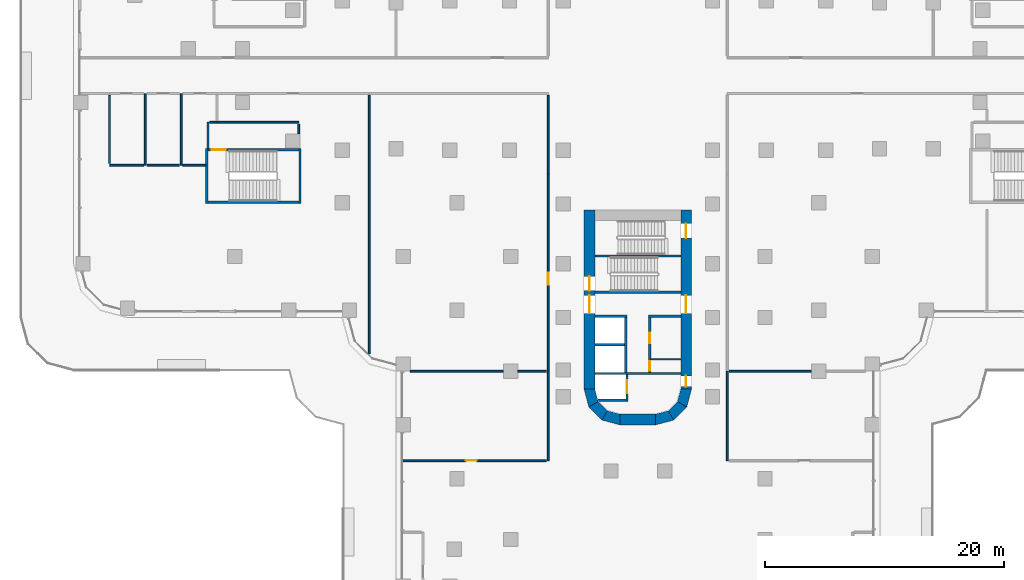
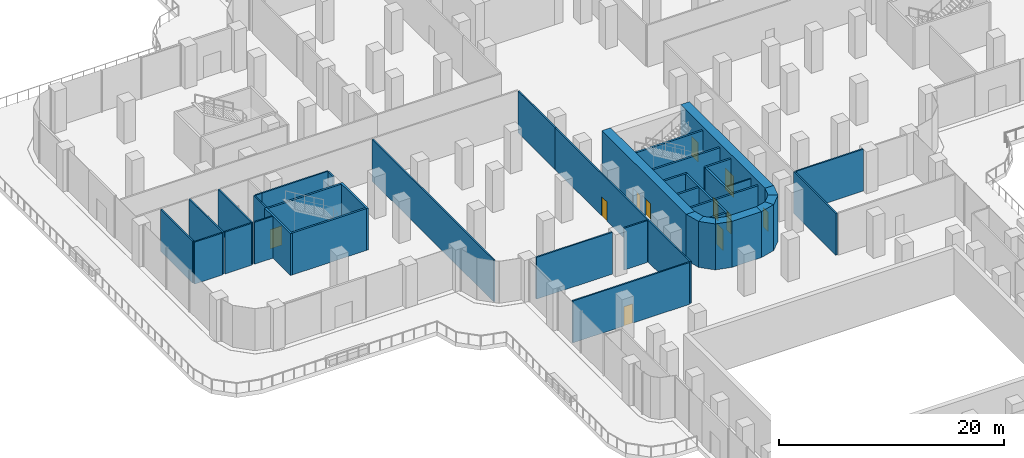
# One storey, part 18 of 29: 43 walls, 11 doors, 11 openings.
"""IFC4 building model written with IfcOpenShell, lengths in metres."""

from ifc_helpers import new_model, si_unit, direction, frame, frame_2d, origin, place, context, subcontext, project, spatial, polyline, rectangle, outline, extrude, material, layer, layer_set, type_object, element, fill, save


model = new_model("IFC4")

# Units and contexts
model_context = context("Model", 3, precision=1e-05, world=origin(), true_north=direction((0.0, 1.0)))
body_context = subcontext(model_context, "Body", "Model", "MODEL_VIEW")
ifc_project = project(units=[si_unit("LENGTHUNIT", "METRE"), si_unit("AREAUNIT", "SQUARE_METRE"), si_unit("VOLUMEUNIT", "CUBIC_METRE"), si_unit("PLANEANGLEUNIT", "RADIAN"), si_unit("MASSUNIT", "GRAM", prefix="KILO")], contexts=[model_context])

# Site, building, storey
site_placement = place(None, origin())
site = spatial("IfcSite", under=ifc_project, at=site_placement, CompositionType="ELEMENT")
building_placement = place(site_placement, origin())
building = spatial("IfcBuilding", under=site, at=building_placement, Name="Zarbagh Exchange Tower", CompositionType="ELEMENT")
storey_placement = place(building_placement, frame((0.0, 0.0, 12.0)))
storey = spatial("IfcBuildingStorey", under=building, at=storey_placement, Name="L02", CompositionType="ELEMENT", Elevation=12.0)

# Walls
ifc_material_1 = material(Name="Plasterboard partition")
ifc_layer_1 = layer(ifc_material_1, 0.14990234375)
ifc_layer_set_1 = layer_set([ifc_layer_1], Name="Board partition 150")
wall_type_1 = type_object("IfcWallType", Name="Board partition 150", PredefinedType="PARTITIONING", material=ifc_layer_set_1)
wall_1_placement = place(storey_placement, frame((-36.0, -6.10009765625, 0.0), z_axis=(0.0, 0.0, 1.0), x_axis=(0.0, 1.0, 0.0)))
element("IfcWall", 1, at=wall_1_placement, inside=storey, type_object=wall_type_1, Name="WL-L02-W006", PredefinedType="PARTITIONING", context=body_context, shape_type="SweptSolid", body=[
    extrude(rectangle(XDim=2.2001953125, YDim=0.14990234375, at=frame_2d((1.10009765625, 0.0))), origin(), (0.0, 0.0, 1.0), 4.550048828125),
])
wall_2_placement = place(storey_placement, frame((-35.85009765625, -3.89990234375, 0.0), z_axis=(0.0, 0.0, 1.0), x_axis=(1.0, 0.0, 0.0)))
element("IfcWall", 2, at=wall_2_placement, inside=storey, type_object=wall_type_1, Name="WL-L02-W007", PredefinedType="PARTITIONING", context=body_context, shape_type="SweptSolid", body=[
    extrude(rectangle(XDim=0.60009765625, YDim=0.14990234375, at=frame_2d((0.300048828125, 0.0))), origin(), (0.0, 0.0, 1.0), 4.550048828125),
])
wall_3_placement = place(storey_placement, frame((-35.25, -3.89990234375, 0.0), z_axis=(0.0, 0.0, 1.0), x_axis=(1.0, 0.0, 0.0)))
element("IfcWall", 3, at=wall_3_placement, inside=storey, type_object=wall_type_1, Name="WL-L02-W008", PredefinedType="PARTITIONING", context=body_context, shape_type="SweptSolid", body=[
    extrude(rectangle(XDim=6.85009765625, YDim=0.14990234375, at=frame_2d((3.425048828125, 0.0))), origin(), (0.0, 0.0, 1.0), 4.550048828125),
])
wall_4_placement = place(storey_placement, frame((-28.39990234375, -4.050048828125, 0.0), z_axis=(0.0, 0.0, 1.0), x_axis=(0.0, -1.0, 0.0)))
element("IfcWall", 4, at=wall_4_placement, inside=storey, type_object=wall_type_1, Name="WL-L02-W009", PredefinedType="PARTITIONING", context=body_context, shape_type="SweptSolid", body=[
    extrude(rectangle(XDim=0.824951171875, YDim=0.14990234375, at=frame_2d((0.41259765625, 0.0))), origin(), (0.0, 0.0, 1.0), 4.550048828125),
])
wall_5_placement = place(storey_placement, frame((-41.25, -1.5, 0.0), z_axis=(0.0, 0.0, 1.0), x_axis=(0.0, -1.0, 0.0)))
element("IfcWall", 5, at=wall_5_placement, inside=storey, type_object=wall_type_1, Name="WL-L02-W021", PredefinedType="PARTITIONING", context=body_context, shape_type="SweptSolid", body=[
    extrude(rectangle(XDim=6.0, YDim=0.14990234375, at=frame_2d((3.0, 0.0))), origin(), (0.0, 0.0, 1.0), 4.550048828125),
])
wall_6_placement = place(storey_placement, frame((-41.39990234375, -7.5, 0.0), z_axis=(0.0, 0.0, 1.0), x_axis=(-1.0, 0.0, 0.0)))
element("IfcWall", 6, at=wall_6_placement, inside=storey, type_object=wall_type_1, Name="WL-L02-W023", PredefinedType="PARTITIONING", context=body_context, shape_type="SweptSolid", body=[
    extrude(rectangle(XDim=2.85009765625, YDim=0.14990234375, at=frame_2d((1.425048828125, 0.0))), origin(), (0.0, 0.0, 1.0), 4.550048828125),
])
wall_7_placement = place(storey_placement, frame((-44.25, -7.35009765625, 0.0), z_axis=(0.0, 0.0, 1.0), x_axis=(0.0, 1.0, 0.0)))
element("IfcWall", 7, at=wall_7_placement, inside=storey, type_object=wall_type_1, Name="WL-L02-W024", PredefinedType="PARTITIONING", context=body_context, shape_type="SweptSolid", body=[
    extrude(rectangle(XDim=5.7001953125, YDim=0.14990234375, at=frame_2d((2.85009765625, 0.0))), origin(), (0.0, 0.0, 1.0), 4.550048828125),
])
wall_8_placement = place(storey_placement, frame((-38.25, -1.5, 0.0), z_axis=(0.0, 0.0, 1.0), x_axis=(0.0, -1.0, 0.0)))
element("IfcWall", 8, at=wall_8_placement, inside=storey, type_object=wall_type_1, Name="WL-L02-W025", PredefinedType="PARTITIONING", context=body_context, shape_type="SweptSolid", body=[
    extrude(rectangle(XDim=6.0, YDim=0.14990234375, at=frame_2d((3.0, 0.0))), origin(), (0.0, 0.0, 1.0), 4.550048828125),
])
wall_9_placement = place(storey_placement, frame((-38.39990234375, -7.5, 0.0), z_axis=(0.0, 0.0, 1.0), x_axis=(-1.0, 0.0, 0.0)))
element("IfcWall", 9, at=wall_9_placement, inside=storey, type_object=wall_type_1, Name="WL-L02-W027", PredefinedType="PARTITIONING", context=body_context, shape_type="SweptSolid", body=[
    extrude(rectangle(XDim=2.7001953125, YDim=0.14990234375, at=frame_2d((1.35009765625, 0.0))), origin(), (0.0, 0.0, 1.0), 4.550048828125),
])
wall_10_placement = place(storey_placement, frame((-36.199951171875, -7.5, 0.0), z_axis=(0.0, 0.0, 1.0), x_axis=(-1.0, 0.0, 0.0)))
element("IfcWall", 10, at=wall_10_placement, inside=storey, type_object=wall_type_1, Name="WL-L02-W029", PredefinedType="PARTITIONING", context=body_context, shape_type="SweptSolid", body=[
    extrude(rectangle(XDim=1.900146484375, YDim=0.14990234375, at=frame_2d((0.9501953125, 0.0))), origin(), (0.0, 0.0, 1.0), 4.550048828125),
])
wall_11_placement = place(storey_placement, frame((7.5, -24.75, 0.0), z_axis=(0.0, 0.0, 1.0), x_axis=(0.0, -1.0, 0.0)))
element("IfcWall", 11, at=wall_11_placement, inside=storey, type_object=wall_type_1, Name="WL-L02-W036", PredefinedType="PARTITIONING", context=body_context, shape_type="SweptSolid", body=[
    extrude(rectangle(XDim=7.5, YDim=0.14990234375, at=frame_2d((3.75, 0.0))), origin(), (0.0, 0.0, 1.0), 4.550048828125),
])

# Wall, opening, door
wall_12_placement = place(storey_placement, frame((-7.5, -24.75, 0.0), z_axis=(0.0, 0.0, 1.0), x_axis=(0.0, 1.0, 0.0)))
wall_12 = element("IfcWall", 12, at=wall_12_placement, inside=storey, type_object=wall_type_1, Name="WL-L02-W037", PredefinedType="PARTITIONING", context=body_context, shape_type="SweptSolid", body=[
    extrude(rectangle(XDim=16.5, YDim=0.14990234375, at=frame_2d((8.25, 0.0))), origin(), (0.0, 0.0, 1.0), 4.550048828125),
])
opening_1_placement = place(wall_12_placement, frame((7.25, 0.0, 0.0)))
opening_1 = element("IfcOpeningElement", 13, at=opening_1_placement, cuts=wall_12, Name="Opening D53", PredefinedType="OPENING", context=body_context, shape_type="SweptSolid", body=[
    extrude(rectangle(XDim=1.0, YDim=2.10009765625, at=frame_2d((0.5, 1.050048828125))), frame((0.0, 0.0849609375, 0.0), z_axis=(0.0, -1.0, 0.0), x_axis=(1.0, 0.0, 0.0)), (0.0, 0.0, 1.0), 0.169921875),
])
ifc_material_2 = material(Name="Timber door leaf", Category="wood")
door_type_1 = type_object("IfcDoorType", Name="Door single 1000x2100", OperationType="SINGLE_SWING_LEFT", PredefinedType="DOOR", material=ifc_material_2)
door_1_placement = place(opening_1_placement, origin())
door_1 = element("IfcDoor", 14, at=door_1_placement, inside=storey, type_object=door_type_1, Name="D10", OperationType="SINGLE_SWING_LEFT", OverallHeight=2.10009765625, OverallWidth=1.0, PredefinedType="DOOR", context=body_context, shape_type="SweptSolid", body=[
    extrude(rectangle(XDim=1.0, YDim=2.10009765625, at=frame_2d((0.5, 1.050048828125))), frame((0.0, 0.02490234375, 0.0), z_axis=(0.0, -1.0, 0.0), x_axis=(1.0, 0.0, 0.0)), (0.0, 0.0, 1.0), 0.050048828125),
])
fill(opening_1, door_1)

# Walls
wall_13_placement = place(storey_placement, frame((-7.5, -32.25, 0.0), z_axis=(0.0, 0.0, 1.0), x_axis=(0.0, 1.0, 0.0)))
element("IfcWall", 15, at=wall_13_placement, inside=storey, type_object=wall_type_1, Name="WL-L02-W038", PredefinedType="PARTITIONING", context=body_context, shape_type="SweptSolid", body=[
    extrude(rectangle(XDim=7.5, YDim=0.14990234375, at=frame_2d((3.75, 0.0))), origin(), (0.0, 0.0, 1.0), 4.550048828125),
])
wall_14_placement = place(storey_placement, frame((14.550048828125, -24.75, 0.0), z_axis=(0.0, 0.0, 1.0), x_axis=(-1.0, 0.0, 0.0)))
element("IfcWall", 16, at=wall_14_placement, inside=storey, type_object=wall_type_1, Name="WL-L02-W066", PredefinedType="PARTITIONING", context=body_context, shape_type="SweptSolid", body=[
    extrude(rectangle(XDim=6.900146484375, YDim=0.14990234375, at=frame_2d((3.4501953125, 0.0))), origin(), (0.0, 0.0, 1.0), 4.550048828125),
])
wall_15_placement = place(storey_placement, frame((-22.5, -23.297119140625, 0.0), z_axis=(0.0, 0.0, 1.0), x_axis=(0.0, 1.0, 0.0)))
element("IfcWall", 17, at=wall_15_placement, inside=storey, type_object=wall_type_1, Name="WL-L02-W069", PredefinedType="PARTITIONING", context=body_context, shape_type="SweptSolid", body=[
    extrude(rectangle(XDim=21.647216796875, YDim=0.14990234375, at=frame_2d((10.82373046875, 0.0))), origin(), (0.0, 0.0, 1.0), 4.550048828125),
])
wall_16_placement = place(storey_placement, frame((-7.64990234375, -24.75, 0.0), z_axis=(0.0, 0.0, 1.0), x_axis=(-1.0, 0.0, 0.0)))
element("IfcWall", 18, at=wall_16_placement, inside=storey, type_object=wall_type_1, Name="WL-L02-W070", PredefinedType="PARTITIONING", context=body_context, shape_type="SweptSolid", body=[
    extrude(rectangle(XDim=2.400146484375, YDim=0.14990234375, at=frame_2d((1.2001953125, 0.0))), origin(), (0.0, 0.0, 1.0), 4.550048828125),
])
wall_17_placement = place(storey_placement, frame((-11.25, -24.75, 0.0), z_axis=(0.0, 0.0, 1.0), x_axis=(-1.0, 0.0, 0.0)))
element("IfcWall", 19, at=wall_17_placement, inside=storey, type_object=wall_type_1, Name="WL-L02-W071", PredefinedType="PARTITIONING", context=body_context, shape_type="SweptSolid", body=[
    extrude(rectangle(XDim=7.800048828125, YDim=0.14990234375, at=frame_2d((3.89990234375, 0.0))), origin(), (0.0, 0.0, 1.0), 4.550048828125),
])
wall_18_placement = place(storey_placement, frame((-7.5, -1.64990234375, 0.0), z_axis=(0.0, 0.0, 1.0), x_axis=(0.0, -1.0, 0.0)))
element("IfcWall", 20, at=wall_18_placement, inside=storey, type_object=wall_type_1, Name="WL-L02-W072", PredefinedType="PARTITIONING", context=body_context, shape_type="SweptSolid", body=[
    extrude(rectangle(XDim=6.60009765625, YDim=0.14990234375, at=frame_2d((3.300048828125, 0.0))), origin(), (0.0, 0.0, 1.0), 4.550048828125),
])

# Wall, opening, door
wall_19_placement = place(storey_placement, frame((-19.64990234375, -32.25, 0.0), z_axis=(0.0, 0.0, 1.0), x_axis=(1.0, 0.0, 0.0)))
wall_19 = element("IfcWall", 21, at=wall_19_placement, inside=storey, type_object=wall_type_1, Name="WL-L02-W073", PredefinedType="PARTITIONING", context=body_context, shape_type="SweptSolid", body=[
    extrude(rectangle(XDim=12.0, YDim=0.14990234375, at=frame_2d((6.0, 0.0))), origin(), (0.0, 0.0, 1.0), 4.550048828125),
])
opening_2_placement = place(wall_19_placement, frame((5.25, 0.0, 0.0)))
opening_2 = element("IfcOpeningElement", 22, at=opening_2_placement, cuts=wall_19, Name="Opening D21", PredefinedType="OPENING", context=body_context, shape_type="SweptSolid", body=[
    extrude(rectangle(XDim=0.89990234375, YDim=2.10009765625, at=frame_2d((0.449951171875, 1.050048828125))), frame((0.0, 0.0849609375, 0.0), z_axis=(0.0, -1.0, 0.0), x_axis=(1.0, 0.0, 0.0)), (0.0, 0.0, 1.0), 0.169921875),
])
door_type_2 = type_object("IfcDoorType", Name="Door single 900x2100", OperationType="SINGLE_SWING_LEFT", PredefinedType="DOOR", material=ifc_material_2)
door_2_placement = place(opening_2_placement, origin())
door_2 = element("IfcDoor", 23, at=door_2_placement, inside=storey, type_object=door_type_2, Name="D21", OperationType="SINGLE_SWING_LEFT", OverallHeight=2.10009765625, OverallWidth=0.89990234375, PredefinedType="DOOR", context=body_context, shape_type="SweptSolid", body=[
    extrude(rectangle(XDim=0.89990234375, YDim=2.10009765625, at=frame_2d((0.449951171875, 1.050048828125))), frame((0.0, 0.02490234375, 0.0), z_axis=(0.0, -1.0, 0.0), x_axis=(1.0, 0.0, 0.0)), (0.0, 0.0, 1.0), 0.050048828125),
])
fill(opening_2, door_2)

# Walls
ifc_material_3 = material(Name="Dense blockwork", Category="masonry")
ifc_layer_2 = layer(ifc_material_3, 0.10009765625)
ifc_layer_set_2 = layer_set([ifc_layer_2], Name="Core partition 100 mm blockwork")
wall_type_2 = type_object("IfcWallType", Name="Core partition 100 mm blockwork", PredefinedType="PARTITIONING", material=ifc_layer_set_2)
wall_20_placement = place(storey_placement, frame((3.60009765625, -23.75, 0.0), z_axis=(0.0, 0.0, 1.0), x_axis=(-1.0, 0.0, 0.0)))
element("IfcWall", 24, at=wall_20_placement, inside=storey, type_object=wall_type_2, Name="South core partition wall CUT-W-460", PredefinedType="PARTITIONING", context=body_context, shape_type="SweptSolid", body=[
    extrude(rectangle(XDim=2.5, YDim=0.10009765625, at=frame_2d((1.25, 0.0))), origin(), (0.0, 0.0, 1.0), 4.550048828125),
])
ifc_material_4 = material(Name="Concrete C60/75", Category="concrete")
ifc_layer_3 = layer(ifc_material_4, 0.89990234375)
ifc_layer_set_3 = layer_set([ifc_layer_3], Name="RC core corner wall 900 C60/75")
wall_type_3 = type_object("IfcWallType", Name="RC core corner wall 900 C60/75", PredefinedType="SHEAR", material=ifc_layer_set_3)
wall_21_placement = place(storey_placement, origin())
element("IfcWall", 25, at=wall_21_placement, inside=storey, type_object=wall_type_3, Name="CW2 core S corner W", PredefinedType="SHEAR", context=body_context, shape_type="SweptSolid", body=[
    extrude(outline(polyline([(-4.5, -26.25), (-4.09814453125, -27.75), (-3.318603515625, -27.300048828125), (-3.60009765625, -26.25), (-4.5, -26.25)])), origin(), (0.0, 0.0, 1.0), 5.0),
])
wall_22_placement = place(storey_placement, origin())
element("IfcWall", 26, at=wall_22_placement, inside=storey, type_object=wall_type_3, Name="CW2 core S corner W", PredefinedType="SHEAR", context=body_context, shape_type="SweptSolid", body=[
    extrude(outline(polyline([(-4.09814453125, -27.75), (-3.0, -28.84814453125), (-2.550048828125, -28.068603515625), (-3.318603515625, -27.300048828125), (-4.09814453125, -27.75)])), origin(), (0.0, 0.0, 1.0), 5.0),
])
wall_23_placement = place(storey_placement, origin())
element("IfcWall", 27, at=wall_23_placement, inside=storey, type_object=wall_type_3, Name="CW2 core S corner W", PredefinedType="SHEAR", context=body_context, shape_type="SweptSolid", body=[
    extrude(outline(polyline([(-3.0, -28.84814453125), (-1.5, -29.25), (-1.5, -28.35009765625), (-2.550048828125, -28.068603515625), (-3.0, -28.84814453125)])), origin(), (0.0, 0.0, 1.0), 5.0),
])
wall_24_placement = place(storey_placement, origin())
element("IfcWall", 28, at=wall_24_placement, inside=storey, type_object=wall_type_3, Name="CW2 core S corner E", PredefinedType="SHEAR", context=body_context, shape_type="SweptSolid", body=[
    extrude(outline(polyline([(4.5, -26.25), (4.09814453125, -27.75), (3.318603515625, -27.300048828125), (3.60009765625, -26.25), (4.5, -26.25)])), origin(), (0.0, 0.0, 1.0), 5.0),
])
wall_25_placement = place(storey_placement, origin())
element("IfcWall", 29, at=wall_25_placement, inside=storey, type_object=wall_type_3, Name="CW2 core S corner E", PredefinedType="SHEAR", context=body_context, shape_type="SweptSolid", body=[
    extrude(outline(polyline([(4.09814453125, -27.75), (3.0, -28.84814453125), (2.550048828125, -28.068603515625), (3.318603515625, -27.300048828125), (4.09814453125, -27.75)])), origin(), (0.0, 0.0, 1.0), 5.0),
])
wall_26_placement = place(storey_placement, origin())
element("IfcWall", 30, at=wall_26_placement, inside=storey, type_object=wall_type_3, Name="CW2 core S corner E", PredefinedType="SHEAR", context=body_context, shape_type="SweptSolid", body=[
    extrude(outline(polyline([(3.0, -28.84814453125), (1.5, -29.25), (1.5, -28.35009765625), (2.550048828125, -28.068603515625), (3.0, -28.84814453125)])), origin(), (0.0, 0.0, 1.0), 5.0),
])

# Wall, openings, doors
ifc_layer_4 = layer(ifc_material_4, 0.89990234375)
ifc_layer_set_4 = layer_set([ifc_layer_4], Name="RC core wall 900 C60/75")
wall_type_4 = type_object("IfcWallType", Name="RC core wall 900 C60/75", PredefinedType="SHEAR", material=ifc_layer_set_4)
wall_27_placement = place(storey_placement, frame((-4.050048828125, -11.25, 0.0), z_axis=(0.0, 0.0, 1.0), x_axis=(0.0, -1.0, 0.0)))
wall_27 = element("IfcWall", 31, at=wall_27_placement, inside=storey, type_object=wall_type_4, Name="CW1 core S W", PredefinedType="SHEAR", context=body_context, shape_type="SweptSolid", body=[
    extrude(rectangle(XDim=15.0, YDim=0.89990234375, at=frame_2d((7.5, 0.0))), origin(), (0.0, 0.0, 1.0), 5.0),
])
opening_3_placement = place(wall_27_placement, frame((7.14990234375, 0.0, 0.0)))
opening_3 = element("IfcOpeningElement", 32, at=opening_3_placement, cuts=wall_27, Name="Opening CD1-1500", PredefinedType="OPENING", context=body_context, shape_type="SweptSolid", body=[
    extrude(rectangle(XDim=1.5, YDim=2.300048828125, at=frame_2d((0.75, 1.14990234375))), frame((0.0, 0.4599609375, 0.0), z_axis=(0.0, -1.0, 0.0), x_axis=(1.0, 0.0, 0.0)), (0.0, 0.0, 1.0), 0.919921875),
])
opening_4_placement = place(wall_27_placement, frame((5.550048828125, 0.0, 0.0)))
opening_4 = element("IfcOpeningElement", 33, at=opening_4_placement, cuts=wall_27, Name="Opening SD1-1200", PredefinedType="OPENING", context=body_context, shape_type="SweptSolid", body=[
    extrude(rectangle(XDim=1.199951171875, YDim=2.10009765625, at=frame_2d((0.60009765625, 1.050048828125))), frame((0.0, 0.4599609375, 0.0), z_axis=(0.0, -1.0, 0.0), x_axis=(1.0, 0.0, 0.0)), (0.0, 0.0, 1.0), 0.919921875),
])
ifc_material_5 = material(Name="Steel", Category="steel")
door_type_3 = type_object("IfcDoorType", Name="Exit stair door 1200 x 2100", OperationType="NOTDEFINED", PredefinedType="DOOR", material=ifc_material_5)
door_3_placement = place(opening_4_placement, origin())
door_3 = element("IfcDoor", 34, at=door_3_placement, inside=storey, type_object=door_type_3, Name="South core stair door ST1", OperationType="SINGLE_SWING_LEFT", OverallHeight=2.10009765625, OverallWidth=1.199951171875, PredefinedType="DOOR", context=body_context, shape_type="SweptSolid", body=[
    extrude(rectangle(XDim=1.199951171875, YDim=2.10009765625, at=frame_2d((0.60009765625, 1.050048828125))), frame((0.0, 0.02490234375, 0.0), z_axis=(0.0, -1.0, 0.0), x_axis=(1.0, 0.0, 0.0)), (0.0, 0.0, 1.0), 0.050048828125),
])
fill(opening_4, door_3)
door_type_4 = type_object("IfcDoorType", Name="Lift lobby double door 1500 x 2300", OperationType="NOTDEFINED", PredefinedType="DOOR", material=ifc_material_5)
door_4_placement = place(opening_3_placement, origin())
door_4 = element("IfcDoor", 35, at=door_4_placement, inside=storey, type_object=door_type_4, Name="South core lift lobby door LOBBY-E", OperationType="DOUBLE_DOOR_SINGLE_SWING", OverallHeight=2.300048828125, OverallWidth=1.5, PredefinedType="DOOR", context=body_context, shape_type="SweptSolid", body=[
    extrude(rectangle(XDim=1.5, YDim=2.300048828125, at=frame_2d((0.75, 1.14990234375))), frame((0.0, 0.02490234375, 0.0), z_axis=(0.0, -1.0, 0.0), x_axis=(1.0, 0.0, 0.0)), (0.0, 0.0, 1.0), 0.050048828125),
])
fill(opening_3, door_4)

wall_28_placement = place(storey_placement, frame((4.050048828125, -11.25, 0.0), z_axis=(0.0, 0.0, 1.0), x_axis=(0.0, -1.0, 0.0)))
wall_28 = element("IfcWall", 36, at=wall_28_placement, inside=storey, type_object=wall_type_4, Name="CW1 core S E", PredefinedType="SHEAR", context=body_context, shape_type="SweptSolid", body=[
    extrude(rectangle(XDim=15.0, YDim=0.89990234375, at=frame_2d((7.5, 0.0))), origin(), (0.0, 0.0, 1.0), 5.0),
])
opening_5_placement = place(wall_28_placement, frame((7.14990234375, 0.0, 0.0)))
opening_5 = element("IfcOpeningElement", 37, at=opening_5_placement, cuts=wall_28, Name="Opening CD1-1500", PredefinedType="OPENING", context=body_context, shape_type="SweptSolid", body=[
    extrude(rectangle(XDim=1.5, YDim=2.300048828125, at=frame_2d((0.75, 1.14990234375))), frame((0.0, 0.4599609375, 0.0), z_axis=(0.0, -1.0, 0.0), x_axis=(1.0, 0.0, 0.0)), (0.0, 0.0, 1.0), 0.919921875),
])
opening_6_placement = place(wall_28_placement, frame((13.89990234375, 0.0, 0.0)))
opening_6 = element("IfcOpeningElement", 38, at=opening_6_placement, cuts=wall_28, Name="Opening CD2-900", PredefinedType="OPENING", context=body_context, shape_type="SweptSolid", body=[
    extrude(rectangle(XDim=0.89990234375, YDim=2.10009765625, at=frame_2d((0.449951171875, 1.050048828125))), frame((0.0, 0.4599609375, 0.0), z_axis=(0.0, -1.0, 0.0), x_axis=(1.0, 0.0, 0.0)), (0.0, 0.0, 1.0), 0.919921875),
])
opening_7_placement = place(wall_28_placement, frame((1.14990234375, 0.0, 0.0)))
opening_7 = element("IfcOpeningElement", 39, at=opening_7_placement, cuts=wall_28, Name="Opening SD1-1200", PredefinedType="OPENING", context=body_context, shape_type="SweptSolid", body=[
    extrude(rectangle(XDim=1.199951171875, YDim=2.10009765625, at=frame_2d((0.60009765625, 1.050048828125))), frame((0.0, 0.4599609375, 0.0), z_axis=(0.0, -1.0, 0.0), x_axis=(1.0, 0.0, 0.0)), (0.0, 0.0, 1.0), 0.919921875),
])
door_5_placement = place(opening_7_placement, origin())
door_5 = element("IfcDoor", 40, at=door_5_placement, inside=storey, type_object=door_type_3, Name="South core stair door ST2", OperationType="SINGLE_SWING_RIGHT", OverallHeight=2.10009765625, OverallWidth=1.199951171875, PredefinedType="DOOR", context=body_context, shape_type="SweptSolid", body=[
    extrude(rectangle(XDim=1.199951171875, YDim=2.10009765625, at=frame_2d((0.60009765625, 1.050048828125))), frame((0.0, 0.02490234375, 0.0), z_axis=(0.0, -1.0, 0.0), x_axis=(1.0, 0.0, 0.0)), (0.0, 0.0, 1.0), 0.050048828125),
])
fill(opening_7, door_5)
door_type_5 = type_object("IfcDoorType", Name="Firefighting lobby door 900 x 2100", OperationType="NOTDEFINED", PredefinedType="DOOR", material=ifc_material_5)
door_6_placement = place(opening_6_placement, origin())
door_6 = element("IfcDoor", 41, at=door_6_placement, inside=storey, type_object=door_type_5, Name="South core firefighting lobby door FF-W", OperationType="SINGLE_SWING_RIGHT", OverallHeight=2.10009765625, OverallWidth=0.89990234375, PredefinedType="DOOR", context=body_context, shape_type="SweptSolid", body=[
    extrude(rectangle(XDim=0.89990234375, YDim=2.10009765625, at=frame_2d((0.449951171875, 1.050048828125))), frame((0.0, 0.02490234375, 0.0), z_axis=(0.0, -1.0, 0.0), x_axis=(1.0, 0.0, 0.0)), (0.0, 0.0, 1.0), 0.050048828125),
])
fill(opening_6, door_6)
door_7_placement = place(opening_5_placement, origin())
door_7 = element("IfcDoor", 42, at=door_7_placement, inside=storey, type_object=door_type_4, Name="South core lift lobby door LOBBY-W", OperationType="DOUBLE_DOOR_SINGLE_SWING", OverallHeight=2.300048828125, OverallWidth=1.5, PredefinedType="DOOR", context=body_context, shape_type="SweptSolid", body=[
    extrude(rectangle(XDim=1.5, YDim=2.300048828125, at=frame_2d((0.75, 1.14990234375))), frame((0.0, 0.02490234375, 0.0), z_axis=(0.0, -1.0, 0.0), x_axis=(1.0, 0.0, 0.0)), (0.0, 0.0, 1.0), 0.050048828125),
])
fill(opening_5, door_7)

# Walls
wall_29_placement = place(storey_placement, frame((-1.5, -28.800048828125, 0.0), z_axis=(0.0, 0.0, 1.0), x_axis=(1.0, 0.0, 0.0)))
element("IfcWall", 43, at=wall_29_placement, inside=storey, type_object=wall_type_4, Name="CW1 core S outer end", PredefinedType="SHEAR", context=body_context, shape_type="SweptSolid", body=[
    extrude(rectangle(XDim=3.0, YDim=0.89990234375, at=frame_2d((1.5, 0.0))), origin(), (0.0, 0.0, 1.0), 5.0),
])
ifc_layer_5 = layer(ifc_material_3, 0.199951171875)
ifc_layer_set_5 = layer_set([ifc_layer_5], Name="Shaft wall 200 mm blockwork")
wall_type_5 = type_object("IfcWallType", Name="Shaft wall 200 mm blockwork", PredefinedType="PARTITIONING", material=ifc_layer_set_5)
wall_30_placement = place(storey_placement, frame((3.60009765625, -20.14990234375, 0.0), z_axis=(0.0, 0.0, 1.0), x_axis=(-1.0, 0.0, 0.0)))
element("IfcWall", 44, at=wall_30_placement, inside=storey, type_object=wall_type_5, Name="South core shaft wall AB-W", PredefinedType="PARTITIONING", context=body_context, shape_type="SweptSolid", body=[
    extrude(rectangle(XDim=2.7001953125, YDim=0.199951171875, at=frame_2d((1.35009765625, 0.0))), origin(), (0.0, 0.0, 1.0), 4.550048828125),
])

# Wall, openings, doors
wall_31_placement = place(storey_placement, frame((1.0, -24.85009765625, 0.0), z_axis=(0.0, 0.0, 1.0), x_axis=(0.0, 1.0, 0.0)))
wall_31 = element("IfcWall", 45, at=wall_31_placement, inside=storey, type_object=wall_type_5, Name="South core shaft wall LW-W", PredefinedType="PARTITIONING", context=body_context, shape_type="SweptSolid", body=[
    extrude(rectangle(XDim=4.60009765625, YDim=0.199951171875, at=frame_2d((2.300048828125, 0.0))), origin(), (0.0, 0.0, 1.0), 4.550048828125),
])
opening_8_placement = place(wall_31_placement, frame((0.125, 0.0, 0.0)))
opening_8 = element("IfcOpeningElement", 46, at=opening_8_placement, cuts=wall_31, Name="Opening CD3-800", PredefinedType="OPENING", context=body_context, shape_type="SweptSolid", body=[
    extrude(rectangle(XDim=0.800048828125, YDim=2.10009765625, at=frame_2d((0.39990234375, 1.050048828125))), frame((0.0, 0.10986328125, 0.0), z_axis=(0.0, -1.0, 0.0), x_axis=(1.0, 0.0, 0.0)), (0.0, 0.0, 1.0), 0.219970703125),
])
opening_9_placement = place(wall_31_placement, frame((2.425048828125, 0.0, 0.0)))
opening_9 = element("IfcOpeningElement", 47, at=opening_9_placement, cuts=wall_31, Name="Opening CD3-900", PredefinedType="OPENING", context=body_context, shape_type="SweptSolid", body=[
    extrude(rectangle(XDim=0.89990234375, YDim=2.10009765625, at=frame_2d((0.449951171875, 1.050048828125))), frame((0.0, 0.10986328125, 0.0), z_axis=(0.0, -1.0, 0.0), x_axis=(1.0, 0.0, 0.0)), (0.0, 0.0, 1.0), 0.219970703125),
])
door_type_6 = type_object("IfcDoorType", Name="Core room door 800 x 2100", OperationType="NOTDEFINED", PredefinedType="DOOR", material=ifc_material_5)
door_8_placement = place(opening_8_placement, origin())
door_8 = element("IfcDoor", 48, at=door_8_placement, inside=storey, type_object=door_type_6, Name="South core Store door RD-W-0", OperationType="SINGLE_SWING_RIGHT", OverallHeight=2.10009765625, OverallWidth=0.800048828125, PredefinedType="DOOR", context=body_context, shape_type="SweptSolid", body=[
    extrude(rectangle(XDim=0.800048828125, YDim=2.10009765625, at=frame_2d((0.39990234375, 1.050048828125))), frame((0.0, 0.02490234375, 0.0), z_axis=(0.0, -1.0, 0.0), x_axis=(1.0, 0.0, 0.0)), (0.0, 0.0, 1.0), 0.050048828125),
])
fill(opening_8, door_8)
door_type_7 = type_object("IfcDoorType", Name="Core room door 900 x 2100", OperationType="NOTDEFINED", PredefinedType="DOOR", material=ifc_material_5)
door_9_placement = place(opening_9_placement, origin())
door_9 = element("IfcDoor", 49, at=door_9_placement, inside=storey, type_object=door_type_7, Name="South core Staff WC door RD-W-1", OperationType="SINGLE_SWING_RIGHT", OverallHeight=2.10009765625, OverallWidth=0.89990234375, PredefinedType="DOOR", context=body_context, shape_type="SweptSolid", body=[
    extrude(rectangle(XDim=0.89990234375, YDim=2.10009765625, at=frame_2d((0.449951171875, 1.050048828125))), frame((0.0, 0.02490234375, 0.0), z_axis=(0.0, -1.0, 0.0), x_axis=(1.0, 0.0, 0.0)), (0.0, 0.0, 1.0), 0.050048828125),
])
fill(opening_9, door_9)

# Walls
wall_32_placement = place(storey_placement, frame((-0.89990234375, -20.14990234375, 0.0), z_axis=(0.0, 0.0, 1.0), x_axis=(-1.0, 0.0, 0.0)))
element("IfcWall", 50, at=wall_32_placement, inside=storey, type_object=wall_type_5, Name="South core shaft wall AB-E", PredefinedType="PARTITIONING", context=body_context, shape_type="SweptSolid", body=[
    extrude(rectangle(XDim=2.7001953125, YDim=0.199951171875, at=frame_2d((1.35009765625, 0.0))), origin(), (0.0, 0.0, 1.0), 4.550048828125),
])
wall_33_placement = place(storey_placement, frame((-1.0, -24.85009765625, 0.0), z_axis=(0.0, 0.0, 1.0), x_axis=(0.0, 1.0, 0.0)))
element("IfcWall", 51, at=wall_33_placement, inside=storey, type_object=wall_type_5, Name="South core shaft wall LW-E", PredefinedType="PARTITIONING", context=body_context, shape_type="SweptSolid", body=[
    extrude(rectangle(XDim=4.60009765625, YDim=0.199951171875, at=frame_2d((2.300048828125, 0.0))), origin(), (0.0, 0.0, 1.0), 4.550048828125),
])
wall_34_placement = place(storey_placement, frame((-1.10009765625, -22.550048828125, 0.0), z_axis=(0.0, 0.0, 1.0), x_axis=(-1.0, 0.0, 0.0)))
element("IfcWall", 52, at=wall_34_placement, inside=storey, type_object=wall_type_5, Name="South core shaft wall TR-E", PredefinedType="PARTITIONING", context=body_context, shape_type="SweptSolid", body=[
    extrude(rectangle(XDim=2.5, YDim=0.199951171875, at=frame_2d((1.25, 0.0))), origin(), (0.0, 0.0, 1.0), 4.550048828125),
])
ifc_material_6 = material(Name="Concrete C40/50", Category="concrete")
ifc_layer_6 = layer(ifc_material_6, 0.199951171875)
ifc_layer_set_6 = layer_set([ifc_layer_6], Name="Stair enclosure wall 200 mm RC C40/50")
wall_type_6 = type_object("IfcWallType", Name="Stair enclosure wall 200 mm RC C40/50", PredefinedType="SHEAR", material=ifc_layer_set_6)
wall_35_placement = place(storey_placement, frame((3.60009765625, -24.949951171875, 0.0), z_axis=(0.0, 0.0, 1.0), x_axis=(-1.0, 0.0, 0.0)))
element("IfcWall", 53, at=wall_35_placement, inside=storey, type_object=wall_type_6, Name="South core lift shaft wall FFA", PredefinedType="SHEAR", context=body_context, shape_type="SweptSolid", body=[
    extrude(rectangle(XDim=7.2001953125, YDim=0.199951171875, at=frame_2d((3.60009765625, 0.0))), origin(), (0.0, 0.0, 1.0), 4.550048828125),
])

# Wall, opening, door
wall_36_placement = place(storey_placement, frame((-0.89990234375, -27.300048828125, 0.0), z_axis=(0.0, 0.0, 1.0), x_axis=(0.0, 1.0, 0.0)))
wall_36 = element("IfcWall", 54, at=wall_36_placement, inside=storey, type_object=wall_type_6, Name="South core lift shaft wall FFL", PredefinedType="SHEAR", context=body_context, shape_type="SweptSolid", body=[
    extrude(rectangle(XDim=2.25, YDim=0.199951171875, at=frame_2d((1.125, 0.0))), origin(), (0.0, 0.0, 1.0), 4.550048828125),
])
opening_10_placement = place(wall_36_placement, frame((0.699951171875, 0.0, 0.0)))
opening_10 = element("IfcOpeningElement", 55, at=opening_10_placement, cuts=wall_36, Name="Opening LD-1100", PredefinedType="OPENING", context=body_context, shape_type="SweptSolid", body=[
    extrude(rectangle(XDim=1.10009765625, YDim=2.300048828125, at=frame_2d((0.550048828125, 1.14990234375))), frame((0.0, 0.10986328125, 0.0), z_axis=(0.0, -1.0, 0.0), x_axis=(1.0, 0.0, 0.0)), (0.0, 0.0, 1.0), 0.219970703125),
])
ifc_material_7 = material(Name="Stainless steel", Category="steel")
door_type_8 = type_object("IfcDoorType", Name="Lift landing door 1100 x 2300", OperationType="NOTDEFINED", PredefinedType="DOOR", material=ifc_material_7)
door_10_placement = place(opening_10_placement, origin())
door_10 = element("IfcDoor", 56, at=door_10_placement, inside=storey, type_object=door_type_8, Name="South core lift landing door LD-F", OperationType="DOUBLE_DOOR_SLIDING", OverallHeight=2.300048828125, OverallWidth=1.10009765625, PredefinedType="DOOR", context=body_context, shape_type="SweptSolid", body=[
    extrude(rectangle(XDim=1.10009765625, YDim=2.300048828125, at=frame_2d((0.550048828125, 1.14990234375))), frame((0.0, 0.02490234375, 0.0), z_axis=(0.0, -1.0, 0.0), x_axis=(1.0, 0.0, 0.0)), (0.0, 0.0, 1.0), 0.050048828125),
])
fill(opening_10, door_10)

# Walls
wall_37_placement = place(storey_placement, origin())
element("IfcWall", 57, at=wall_37_placement, inside=storey, type_object=wall_type_6, Name="South core lift shaft wall FFX", PredefinedType="SHEAR", context=body_context, shape_type="SweptSolid", body=[
    extrude(outline(polyline([(-1.0, -27.10009765625), (-3.340576171875, -27.10009765625), (-3.291259765625, -27.2841796875), (-3.275390625, -27.300048828125), (-1.0, -27.300048828125), (-1.0, -27.10009765625)])), origin(), (0.0, 0.0, 1.0), 4.550048828125),
])
for number, where, z_axis, x_axis, name in (
    (58, (3.60009765625, -18.14990234375, 0.0), (0.0, 0.0, 1.0), (-1.0, 0.0, 0.0), "South core stair wall BS"),
    (59, (3.60009765625, -15.10009765625, 0.0), (0.0, 0.0, 1.0), (-1.0, 0.0, 0.0), "South core stair wall ST12"),
):
    element("IfcWall", number, at=place(storey_placement, frame(where, z_axis=z_axis, x_axis=x_axis)), inside=storey, type_object=wall_type_6, Name=name, PredefinedType="SHEAR", context=body_context, shape_type="SweptSolid", body=[
        extrude(rectangle(XDim=7.2001953125, YDim=0.199951171875, at=frame_2d((3.60009765625, 0.0))), origin(), (0.0, 0.0, 1.0), 4.550048828125),
    ])
for number, where, z_axis, x_axis, name in (
    (60, (-36.10009765625, -10.699951171875, 0.0), (0.0, 0.0, 1.0), (0.0, 1.0, 0.0), "Exit stair PS4 enclosure wall W"),
    (61, (-28.300048828125, -10.699951171875, 0.0), (0.0, 0.0, 1.0), (0.0, 1.0, 0.0), "Exit stair PS4 enclosure wall E"),
):
    element("IfcWall", number, at=place(storey_placement, frame(where, z_axis=z_axis, x_axis=x_axis)), inside=storey, type_object=wall_type_6, Name=name, PredefinedType="SHEAR", context=body_context, shape_type="SweptSolid", body=[
        extrude(rectangle(XDim=4.599853515625, YDim=0.199951171875, at=frame_2d((2.2998046875, 0.0))), origin(), (0.0, 0.0, 1.0), 4.550048828125),
    ])
wall_38_placement = place(storey_placement, frame((-36.0, -10.60009765625, 0.0), z_axis=(0.0, 0.0, 1.0), x_axis=(1.0, 0.0, 0.0)))
element("IfcWall", 62, at=wall_38_placement, inside=storey, type_object=wall_type_6, Name="Exit stair PS4 enclosure wall S", PredefinedType="SHEAR", context=body_context, shape_type="SweptSolid", body=[
    extrude(rectangle(XDim=7.60009765625, YDim=0.199951171875, at=frame_2d((3.800048828125, 0.0))), origin(), (0.0, 0.0, 1.0), 4.550048828125),
])

# Wall, opening, door
wall_39_placement = place(storey_placement, frame((-36.0, -6.199951171875, 0.0), z_axis=(0.0, 0.0, 1.0), x_axis=(1.0, 0.0, 0.0)))
wall_39 = element("IfcWall", 63, at=wall_39_placement, inside=storey, type_object=wall_type_6, Name="Exit stair PS4 enclosure wall N", PredefinedType="SHEAR", context=body_context, shape_type="SweptSolid", body=[
    extrude(rectangle(XDim=7.60009765625, YDim=0.199951171875, at=frame_2d((3.800048828125, 0.0))), origin(), (0.0, 0.0, 1.0), 4.550048828125),
])
opening_11_placement = place(wall_39_placement, frame((0.300048828125, 0.0, 0.0)))
opening_11 = element("IfcOpeningElement", 64, at=opening_11_placement, cuts=wall_39, Name="Opening SD1-1200", PredefinedType="OPENING", context=body_context, shape_type="SweptSolid", body=[
    extrude(rectangle(XDim=1.199951171875, YDim=2.10009765625, at=frame_2d((0.60009765625, 1.050048828125))), frame((0.0, 0.10986328125, 0.0), z_axis=(0.0, -1.0, 0.0), x_axis=(1.0, 0.0, 0.0)), (0.0, 0.0, 1.0), 0.219970703125),
])
door_11_placement = place(opening_11_placement, origin())
door_11 = element("IfcDoor", 65, at=door_11_placement, inside=storey, type_object=door_type_3, Name="Exit stair PS4 entry door", OperationType="SINGLE_SWING_RIGHT", OverallHeight=2.10009765625, OverallWidth=1.199951171875, PredefinedType="DOOR", context=body_context, shape_type="SweptSolid", body=[
    extrude(rectangle(XDim=1.199951171875, YDim=2.10009765625, at=frame_2d((0.60009765625, 1.050048828125))), frame((0.0, 0.02490234375, 0.0), z_axis=(0.0, -1.0, 0.0), x_axis=(1.0, 0.0, 0.0)), (0.0, 0.0, 1.0), 0.050048828125),
])
fill(opening_11, door_11)

save(model, "model.ifc")
